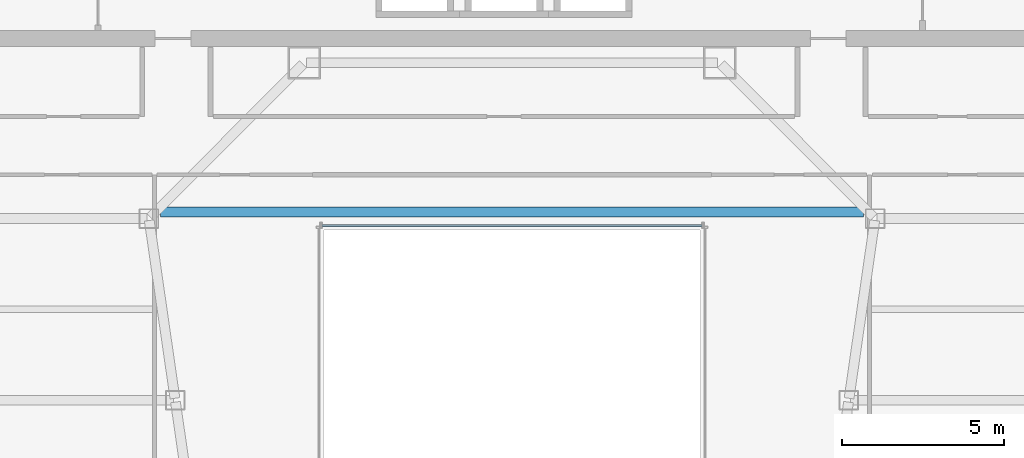
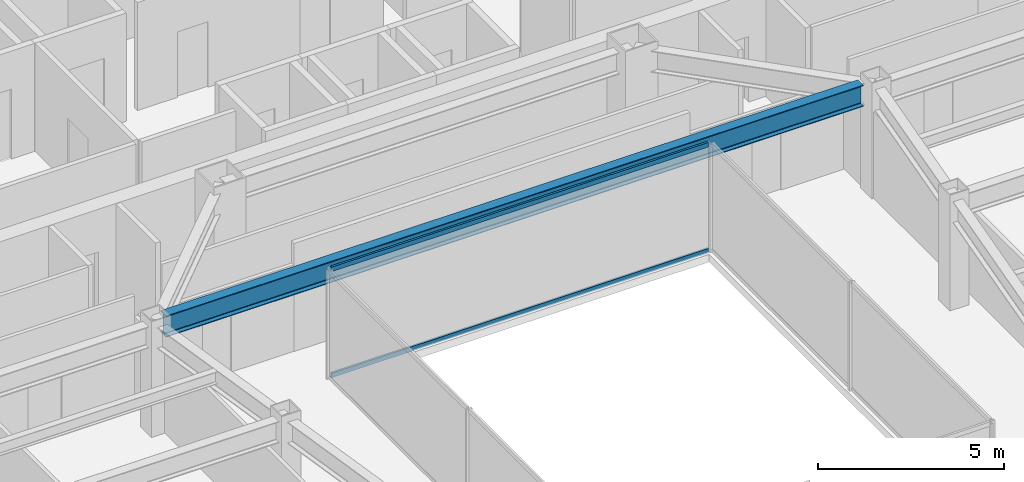
# One storey, part 13 of 38: 2 members, 1 beam, 1 element without a shape of its own.
"""IFC4 building model written with IfcOpenShell, lengths in metres."""

from ifc_helpers import new_model, si_unit, direction, frame, origin, origin_2d, place, context, subcontext, project, spatial, hollow_rectangle, i_section, extrude, material, material_profile, profile_set, type_object, element, aggregate, save


model = new_model("IFC4")

# Units and contexts
model_context = context("Model", 3, precision=1e-05, world=origin(), true_north=direction((0.0, 1.0)))
body_context = subcontext(model_context, "Body", "Model", "MODEL_VIEW")
ifc_project = project(units=[si_unit("LENGTHUNIT", "METRE"), si_unit("AREAUNIT", "SQUARE_METRE"), si_unit("VOLUMEUNIT", "CUBIC_METRE"), si_unit("PLANEANGLEUNIT", "RADIAN"), si_unit("MASSUNIT", "GRAM", prefix="KILO")], contexts=[model_context])

# Site, building, storey
site_placement = place(None, origin())
site = spatial("IfcSite", under=ifc_project, at=site_placement, CompositionType="ELEMENT")
building_placement = place(site_placement, origin())
building = spatial("IfcBuilding", under=site, at=building_placement, Name="Saevonmaru Cultural Tower", CompositionType="ELEMENT")
storey_placement = place(building_placement, frame((0.0, 0.0, 137.199951171875)))
storey = spatial("IfcBuildingStorey", under=building, at=storey_placement, Name="L29", CompositionType="ELEMENT", Elevation=137.199951171875)

# Beam
ifc_material_1 = material(Name="Steel SM355", Category="steel")
ifc_material_profile_1 = material_profile(ifc_material_1, i_section(OverallWidth=0.300048828125, OverallDepth=0.699951171875, WebThickness=0.012939453125, FlangeThickness=0.02392578125, FilletRadius=0.02587890625, at=origin_2d()), Name="H-700x300x13x24")
ifc_profile_set_1 = profile_set([ifc_material_profile_1], Name="Steel SM355")
beam_type = type_object("IfcBeamType", Name="BM-G-H700", PredefinedType="BEAM", material=ifc_profile_set_1)
beam_placement = place(storey_placement, frame((19.165771484375, 37.800048828125, 3.199951171875), z_axis=(1.0, 0.0, 0.0), x_axis=(0.0, 1.0, 0.0)))
element("IfcBeam", 1, at=beam_placement, inside=storey, type_object=beam_type, Name="L29 Central Link Girder", PredefinedType="BEAM", context=body_context, shape_type="SweptSolid", body=[
    extrude(i_section(OverallWidth=0.300048828125, OverallDepth=0.699951171875, WebThickness=0.012939453125, FlangeThickness=0.02392578125, FilletRadius=0.02587890625, at=origin_2d()), origin(), (0.0, 0.0, 1.0), 21.66845703125),
])

# Curtain wall, members
ifc_material_2 = material(Name="Satin Bronze Anodised Aluminium", Category="aluminium")
curtain_wall_type = type_object("IfcCurtainWallType", Name="CW-ATR-GLZ", PredefinedType="NOTDEFINED", material=ifc_material_2)
curtain_wall_placement = place(storey_placement, origin())
curtain_wall = element("IfcCurtainWall", 2, at=curtain_wall_placement, inside=storey, type_object=curtain_wall_type, Name="L29 Vertical Atrium Glazed Smoke Screen 3", PredefinedType="NOTDEFINED")
ifc_material_profile_2 = material_profile(ifc_material_2, hollow_rectangle(XDim=0.06494140625, YDim=0.14990234375, WallThickness=0.00390625, at=origin_2d()), Name="ALU-TRAN-150x65x4")
ifc_profile_set_2 = profile_set([ifc_material_profile_2], Name="Satin Bronze Anodised Aluminium")
member_type = type_object("IfcMemberType", Name="TR-CW-INT-150x65", PredefinedType="USERDEFINED", material=ifc_profile_set_2)
member_1_placement = place(storey_placement, frame((35.857421875, 37.389892578125, 0.032470703125), z_axis=(-1.0, 0.0, 0.0), x_axis=(0.0, -1.0, 0.0)))
member_1 = element("IfcMember", 3, at=member_1_placement, type_object=member_type, Name="CW-ATR-L29-3 transom 1.1", ObjectType="TRANSOM", PredefinedType="USERDEFINED", context=body_context, shape_type="SweptSolid", body=[
    extrude(hollow_rectangle(XDim=0.06494140625, YDim=0.14990234375, WallThickness=0.00390625, at=origin_2d()), origin(), (0.0, 0.0, 1.0), 11.71484375),
])
member_2_placement = place(storey_placement, frame((35.857421875, 37.389892578125, 3.517578125), z_axis=(-1.0, 0.0, 0.0), x_axis=(0.0, -1.0, 0.0)))
member_2 = element("IfcMember", 4, at=member_2_placement, type_object=member_type, Name="CW-ATR-L29-3 transom 1.2", ObjectType="TRANSOM", PredefinedType="USERDEFINED", context=body_context, shape_type="SweptSolid", body=[
    extrude(hollow_rectangle(XDim=0.06494140625, YDim=0.14990234375, WallThickness=0.00390625, at=origin_2d()), origin(), (0.0, 0.0, 1.0), 11.71484375),
])
aggregate(curtain_wall, [member_1, member_2])

save(model, "model.ifc")
